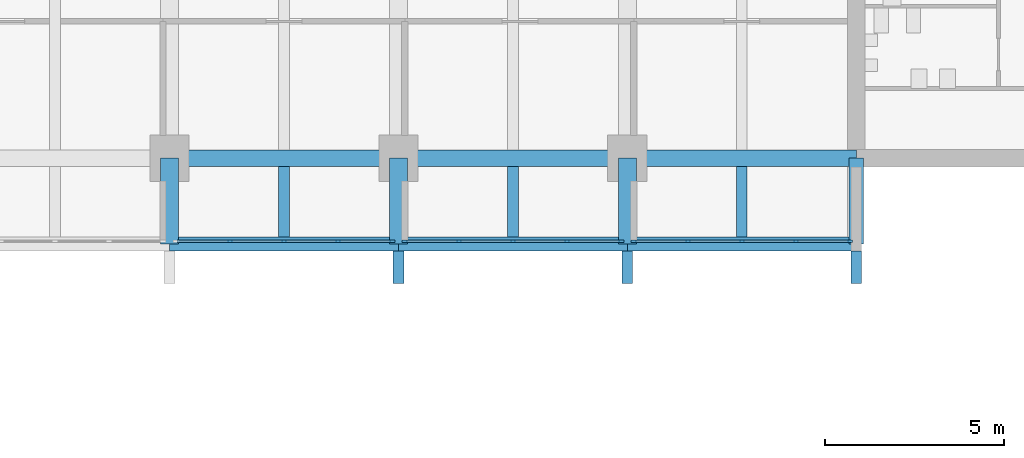
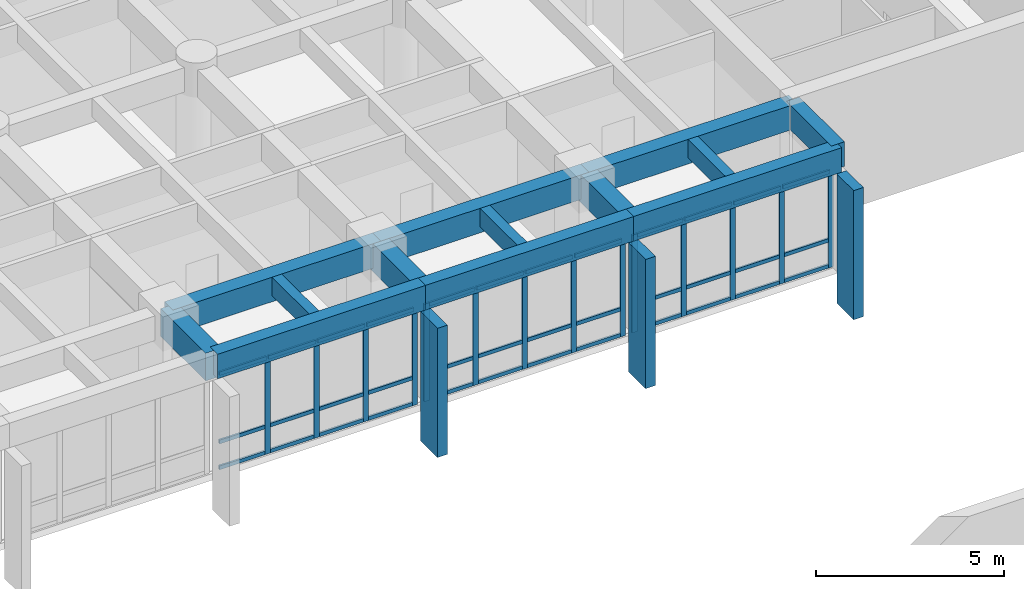
# One storey, part 3 of 18: 53 members, 13 beams, 3 elements without a shape of their own.
"""IFC4 building model written with IfcOpenShell, lengths in metres."""

from ifc_helpers import new_model, si_unit, direction, frame, origin, origin_2d, place, context, subcontext, project, spatial, rectangle, extrude, material, layer, layer_set, material_profile, profile_set, type_object, element, aggregate, save


model = new_model("IFC4")

# Units and contexts
model_context = context("Model", 3, precision=1e-05, world=origin(), true_north=direction((0.0, 1.0)))
body_context = subcontext(model_context, "Body", "Model", "MODEL_VIEW")
ifc_project = project(units=[si_unit("LENGTHUNIT", "METRE"), si_unit("AREAUNIT", "SQUARE_METRE"), si_unit("VOLUMEUNIT", "CUBIC_METRE"), si_unit("PLANEANGLEUNIT", "RADIAN"), si_unit("MASSUNIT", "GRAM", prefix="KILO")], contexts=[model_context])

# Site, building, storey
site_placement = place(None, origin())
site = spatial("IfcSite", under=ifc_project, at=site_placement, CompositionType="ELEMENT")
building_placement = place(site_placement, origin())
building = spatial("IfcBuilding", under=site, at=building_placement, Name="Fogon Plaza Fire Station and Headquarters Tower", CompositionType="ELEMENT")
storey_placement = place(building_placement, frame((0.0, 0.0, 12.89990234375)))
storey = spatial("IfcBuildingStorey", under=building, at=storey_placement, Name="L03", CompositionType="ELEMENT", Elevation=12.89990234375)

# Beams
ifc_material_1 = material(Name="Concrete C40", Category="concrete")
ifc_material_profile_1 = material_profile(ifc_material_1, rectangle(XDim=0.39990234375, YDim=0.800048828125, at=origin_2d()), Name="RC 400x800")
ifc_profile_set_1 = profile_set([ifc_material_profile_1], Name="Concrete C40")
beam_type_1 = type_object("IfcBeamType", Name="BEAM RC 400x800", PredefinedType="BEAM", material=ifc_profile_set_1)
beam_1_placement = place(storey_placement, frame((44.800048828125, 31.199951171875, 3.580078125), z_axis=(1.0, 0.0, 0.0), x_axis=(0.0, 1.0, 0.0)))
element("IfcBeam", 1, at=beam_1_placement, inside=storey, type_object=beam_type_1, Name="beam-L03-042", PredefinedType="BEAM", context=body_context, shape_type="SweptSolid", body=[
    extrude(rectangle(XDim=0.39990234375, YDim=0.800048828125, at=origin_2d()), origin(), (0.0, 0.0, 1.0), 6.39990234375),
])
beam_2_placement = place(storey_placement, frame((51.199951171875, 31.199951171875, 3.580078125), z_axis=(1.0, 0.0, 0.0), x_axis=(0.0, 1.0, 0.0)))
element("IfcBeam", 2, at=beam_2_placement, inside=storey, type_object=beam_type_1, Name="beam-L03-043", PredefinedType="BEAM", context=body_context, shape_type="SweptSolid", body=[
    extrude(rectangle(XDim=0.39990234375, YDim=0.800048828125, at=origin_2d()), origin(), (0.0, 0.0, 1.0), 6.400146484375),
])
beam_3_placement = place(storey_placement, frame((57.60009765625, 31.199951171875, 3.580078125), z_axis=(1.0, 0.0, 0.0), x_axis=(0.0, 1.0, 0.0)))
element("IfcBeam", 3, at=beam_3_placement, inside=storey, type_object=beam_type_1, Name="beam-L03-044", PredefinedType="BEAM", context=body_context, shape_type="SweptSolid", body=[
    extrude(rectangle(XDim=0.39990234375, YDim=0.800048828125, at=origin_2d()), origin(), (0.0, 0.0, 1.0), 6.39990234375),
])
ifc_material_2 = material(Name="Concrete C40", Category="concrete")
ifc_material_profile_2 = material_profile(ifc_material_2, rectangle(XDim=0.39990234375, YDim=0.800048828125, at=origin_2d()), Name="RC 400x800")
ifc_profile_set_2 = profile_set([ifc_material_profile_2], Name="Concrete C40")
beam_type_2 = type_object("IfcBeamType", Name="BEAM RC 400x800 SPAN 0.0 TO 3.0 M", PredefinedType="BEAM", material=ifc_profile_set_2)
beam_4_placement = place(storey_placement, frame((64.0, 31.199951171875, 3.580078125), z_axis=(0.0, 1.0, 0.0), x_axis=(-1.0, 0.0, 0.0)))
element("IfcBeam", 4, at=beam_4_placement, inside=storey, type_object=beam_type_2, Name="beam-L03-053", PredefinedType="BEAM", context=body_context, shape_type="SweptSolid", body=[
    extrude(rectangle(XDim=0.39990234375, YDim=0.800048828125, at=origin_2d()), origin(), (0.0, 0.0, 1.0), 2.400146484375),
])
ifc_material_3 = material(Name="Concrete C40", Category="concrete")
ifc_material_profile_3 = material_profile(ifc_material_3, rectangle(XDim=0.449951171875, YDim=0.800048828125, at=origin_2d()), Name="RC 450x800")
ifc_profile_set_3 = profile_set([ifc_material_profile_3], Name="Concrete C40")
beam_type_3 = type_object("IfcBeamType", Name="BEAM RC 450x800", PredefinedType="BEAM", material=ifc_profile_set_3)
beam_5_placement = place(storey_placement, frame((44.800048828125, 33.60009765625, 3.580078125), z_axis=(1.0, 0.0, 0.0), x_axis=(0.0, 1.0, 0.0)))
element("IfcBeam", 5, at=beam_5_placement, inside=storey, type_object=beam_type_3, Name="beam-L03-024", PredefinedType="BEAM", context=body_context, shape_type="SweptSolid", body=[
    extrude(rectangle(XDim=0.449951171875, YDim=0.800048828125, at=origin_2d()), origin(), (0.0, 0.0, 1.0), 6.39990234375),
])
beam_6_placement = place(storey_placement, frame((51.199951171875, 33.60009765625, 3.580078125), z_axis=(1.0, 0.0, 0.0), x_axis=(0.0, 1.0, 0.0)))
element("IfcBeam", 6, at=beam_6_placement, inside=storey, type_object=beam_type_3, Name="beam-L03-025", PredefinedType="BEAM", context=body_context, shape_type="SweptSolid", body=[
    extrude(rectangle(XDim=0.449951171875, YDim=0.800048828125, at=origin_2d()), origin(), (0.0, 0.0, 1.0), 6.400146484375),
])
beam_7_placement = place(storey_placement, frame((57.60009765625, 33.60009765625, 3.580078125), z_axis=(1.0, 0.0, 0.0), x_axis=(0.0, 1.0, 0.0)))
element("IfcBeam", 7, at=beam_7_placement, inside=storey, type_object=beam_type_3, Name="beam-L03-026", PredefinedType="BEAM", context=body_context, shape_type="SweptSolid", body=[
    extrude(rectangle(XDim=0.449951171875, YDim=0.800048828125, at=origin_2d()), origin(), (0.0, 0.0, 1.0), 6.39990234375),
])
ifc_material_4 = material(Name="Concrete C40", Category="concrete")
ifc_material_profile_4 = material_profile(ifc_material_4, rectangle(XDim=0.5, YDim=0.89990234375, at=origin_2d()), Name="RC 500x900")
ifc_profile_set_4 = profile_set([ifc_material_profile_4], Name="Concrete C40")
beam_type_4 = type_object("IfcBeamType", Name="BEAM RC 500x900 SPAN 0.0 TO 3.0 M", PredefinedType="BEAM", material=ifc_profile_set_4)
for number, where, z_axis, x_axis, name in (
    (8, (44.800048828125, 31.199951171875, 3.530029296875), (0.0, 1.0, 0.0), (-1.0, 0.0, 0.0), "beam-L03-009"),
    (9, (51.199951171875, 31.199951171875, 3.530029296875), (0.0, 1.0, 0.0), (-1.0, 0.0, 0.0), "beam-L03-013"),
    (10, (57.60009765625, 31.199951171875, 3.530029296875), (0.0, 1.0, 0.0), (-1.0, 0.0, 0.0), "beam-L03-017"),
):
    element("IfcBeam", number, at=place(storey_placement, frame(where, z_axis=z_axis, x_axis=x_axis)), inside=storey, type_object=beam_type_4, Name=name, PredefinedType="BEAM", context=body_context, shape_type="SweptSolid", body=[
        extrude(rectangle(XDim=0.5, YDim=0.89990234375, at=origin_2d()), origin(), (0.0, 0.0, 1.0), 2.400146484375),
    ])

# Curtain wall, members
ifc_material_5 = material(Name="Aluminium and glass", Category="aluminium")
ifc_layer = layer(ifc_material_5, 0.14990234375)
ifc_layer_set = layer_set([ifc_layer], Name="Aluminium and glass")
curtain_wall_type = type_object("IfcCurtainWallType", Name="Unitised Curtain Wall Run 6100x3180", PredefinedType="NOTDEFINED", material=ifc_layer_set)
curtain_wall_1_placement = place(storey_placement, origin())
curtain_wall_1 = element("IfcCurtainWall", 11, at=curtain_wall_1_placement, inside=storey, type_object=curtain_wall_type, Name="CW-6100x3180 S4 L03", PredefinedType="NOTDEFINED")
ifc_material_6 = material(Name="Aluminium", Category="aluminium")
ifc_material_profile_5 = material_profile(ifc_material_6, rectangle(XDim=0.06005859375, YDim=0.159912109375, at=origin_2d()), Name="Curtain Wall Mullion 60x160")
ifc_profile_set_5 = profile_set([ifc_material_profile_5], Name="Aluminium")
member_type_1 = type_object("IfcMemberType", Name="Curtain Wall Mullion 60x160", PredefinedType="MULLION", material=ifc_profile_set_5)
member_1_placement = place(storey_placement, frame((46.489990234375, 31.280029296875, 0.0), z_axis=(0.0, 0.0, 1.0), x_axis=(0.0, 1.0, 0.0)))
member_1 = element("IfcMember", 12, at=member_1_placement, type_object=member_type_1, Name="CW-6100x3180 mullion 2", PredefinedType="MULLION", context=body_context, shape_type="SweptSolid", body=[
    extrude(rectangle(XDim=0.06005859375, YDim=0.159912109375, at=origin_2d()), origin(), (0.0, 0.0, 1.0), 3.18017578125),
])
member_2_placement = place(storey_placement, frame((48.0, 31.280029296875, 0.0), z_axis=(0.0, 0.0, 1.0), x_axis=(0.0, 1.0, 0.0)))
member_2 = element("IfcMember", 13, at=member_2_placement, type_object=member_type_1, Name="CW-6100x3180 mullion 3", PredefinedType="MULLION", context=body_context, shape_type="SweptSolid", body=[
    extrude(rectangle(XDim=0.06005859375, YDim=0.159912109375, at=origin_2d()), origin(), (0.0, 0.0, 1.0), 3.18017578125),
])
member_3_placement = place(storey_placement, frame((49.510009765625, 31.280029296875, 0.0), z_axis=(0.0, 0.0, 1.0), x_axis=(0.0, 1.0, 0.0)))
member_3 = element("IfcMember", 14, at=member_3_placement, type_object=member_type_1, Name="CW-6100x3180 mullion 4", PredefinedType="MULLION", context=body_context, shape_type="SweptSolid", body=[
    extrude(rectangle(XDim=0.06005859375, YDim=0.159912109375, at=origin_2d()), origin(), (0.0, 0.0, 1.0), 3.18017578125),
])
member_4_placement = place(storey_placement, frame((51.02001953125, 31.280029296875, 0.0), z_axis=(0.0, 0.0, 1.0), x_axis=(0.0, 1.0, 0.0)))
member_4 = element("IfcMember", 15, at=member_4_placement, type_object=member_type_1, Name="CW-6100x3180 mullion 5", PredefinedType="MULLION", context=body_context, shape_type="SweptSolid", body=[
    extrude(rectangle(XDim=0.06005859375, YDim=0.159912109375, at=origin_2d()), origin(), (0.0, 0.0, 1.0), 3.18017578125),
])

curtain_wall_2_placement = place(storey_placement, origin())
curtain_wall_2 = element("IfcCurtainWall", 16, at=curtain_wall_2_placement, inside=storey, type_object=curtain_wall_type, Name="CW-6100x3180 S5 L03", PredefinedType="NOTDEFINED")
member_5_placement = place(storey_placement, frame((51.3798828125, 31.280029296875, 0.0), z_axis=(0.0, 0.0, 1.0), x_axis=(0.0, 1.0, 0.0)))
member_5 = element("IfcMember", 17, at=member_5_placement, type_object=member_type_1, Name="CW-6100x3180 mullion 1", PredefinedType="MULLION", context=body_context, shape_type="SweptSolid", body=[
    extrude(rectangle(XDim=0.06005859375, YDim=0.159912109375, at=origin_2d()), origin(), (0.0, 0.0, 1.0), 3.18017578125),
])
member_6_placement = place(storey_placement, frame((52.889892578125, 31.280029296875, 0.0), z_axis=(0.0, 0.0, 1.0), x_axis=(0.0, 1.0, 0.0)))
member_6 = element("IfcMember", 18, at=member_6_placement, type_object=member_type_1, Name="CW-6100x3180 mullion 2", PredefinedType="MULLION", context=body_context, shape_type="SweptSolid", body=[
    extrude(rectangle(XDim=0.06005859375, YDim=0.159912109375, at=origin_2d()), origin(), (0.0, 0.0, 1.0), 3.18017578125),
])
member_7_placement = place(storey_placement, frame((54.39990234375, 31.280029296875, 0.0), z_axis=(0.0, 0.0, 1.0), x_axis=(0.0, 1.0, 0.0)))
member_7 = element("IfcMember", 19, at=member_7_placement, type_object=member_type_1, Name="CW-6100x3180 mullion 3", PredefinedType="MULLION", context=body_context, shape_type="SweptSolid", body=[
    extrude(rectangle(XDim=0.06005859375, YDim=0.159912109375, at=origin_2d()), origin(), (0.0, 0.0, 1.0), 3.18017578125),
])
member_8_placement = place(storey_placement, frame((55.909912109375, 31.280029296875, 0.0), z_axis=(0.0, 0.0, 1.0), x_axis=(0.0, 1.0, 0.0)))
member_8 = element("IfcMember", 20, at=member_8_placement, type_object=member_type_1, Name="CW-6100x3180 mullion 4", PredefinedType="MULLION", context=body_context, shape_type="SweptSolid", body=[
    extrude(rectangle(XDim=0.06005859375, YDim=0.159912109375, at=origin_2d()), origin(), (0.0, 0.0, 1.0), 3.18017578125),
])
member_9_placement = place(storey_placement, frame((57.419921875, 31.280029296875, 0.0), z_axis=(0.0, 0.0, 1.0), x_axis=(0.0, 1.0, 0.0)))
member_9 = element("IfcMember", 21, at=member_9_placement, type_object=member_type_1, Name="CW-6100x3180 mullion 5", PredefinedType="MULLION", context=body_context, shape_type="SweptSolid", body=[
    extrude(rectangle(XDim=0.06005859375, YDim=0.159912109375, at=origin_2d()), origin(), (0.0, 0.0, 1.0), 3.18017578125),
])

curtain_wall_3_placement = place(storey_placement, origin())
curtain_wall_3 = element("IfcCurtainWall", 22, at=curtain_wall_3_placement, inside=storey, type_object=curtain_wall_type, Name="CW-6100x3180 S6 L03", PredefinedType="NOTDEFINED")
member_10_placement = place(storey_placement, frame((57.780029296875, 31.280029296875, 0.0), z_axis=(0.0, 0.0, 1.0), x_axis=(0.0, 1.0, 0.0)))
member_10 = element("IfcMember", 23, at=member_10_placement, type_object=member_type_1, Name="CW-6100x3180 mullion 1", PredefinedType="MULLION", context=body_context, shape_type="SweptSolid", body=[
    extrude(rectangle(XDim=0.06005859375, YDim=0.159912109375, at=origin_2d()), origin(), (0.0, 0.0, 1.0), 3.18017578125),
])
member_11_placement = place(storey_placement, frame((59.2900390625, 31.280029296875, 0.0), z_axis=(0.0, 0.0, 1.0), x_axis=(0.0, 1.0, 0.0)))
member_11 = element("IfcMember", 24, at=member_11_placement, type_object=member_type_1, Name="CW-6100x3180 mullion 2", PredefinedType="MULLION", context=body_context, shape_type="SweptSolid", body=[
    extrude(rectangle(XDim=0.06005859375, YDim=0.159912109375, at=origin_2d()), origin(), (0.0, 0.0, 1.0), 3.18017578125),
])
member_12_placement = place(storey_placement, frame((60.800048828125, 31.280029296875, 0.0), z_axis=(0.0, 0.0, 1.0), x_axis=(0.0, 1.0, 0.0)))
member_12 = element("IfcMember", 25, at=member_12_placement, type_object=member_type_1, Name="CW-6100x3180 mullion 3", PredefinedType="MULLION", context=body_context, shape_type="SweptSolid", body=[
    extrude(rectangle(XDim=0.06005859375, YDim=0.159912109375, at=origin_2d()), origin(), (0.0, 0.0, 1.0), 3.18017578125),
])
member_13_placement = place(storey_placement, frame((62.31005859375, 31.280029296875, 0.0), z_axis=(0.0, 0.0, 1.0), x_axis=(0.0, 1.0, 0.0)))
member_13 = element("IfcMember", 26, at=member_13_placement, type_object=member_type_1, Name="CW-6100x3180 mullion 4", PredefinedType="MULLION", context=body_context, shape_type="SweptSolid", body=[
    extrude(rectangle(XDim=0.06005859375, YDim=0.159912109375, at=origin_2d()), origin(), (0.0, 0.0, 1.0), 3.18017578125),
])
member_14_placement = place(storey_placement, frame((63.820068359375, 31.280029296875, 0.0), z_axis=(0.0, 0.0, 1.0), x_axis=(0.0, 1.0, 0.0)))
member_14 = element("IfcMember", 27, at=member_14_placement, type_object=member_type_1, Name="CW-6100x3180 mullion 5", PredefinedType="MULLION", context=body_context, shape_type="SweptSolid", body=[
    extrude(rectangle(XDim=0.06005859375, YDim=0.159912109375, at=origin_2d()), origin(), (0.0, 0.0, 1.0), 3.18017578125),
])

# Member
ifc_material_7 = material(Name="Aluminium", Category="aluminium")
ifc_material_profile_6 = material_profile(ifc_material_7, rectangle(XDim=0.06005859375, YDim=0.1201171875, at=origin_2d()), Name="Curtain Wall Transom 60x120")
ifc_profile_set_6 = profile_set([ifc_material_profile_6], Name="Aluminium")
member_type_2 = type_object("IfcMemberType", Name="Curtain Wall Transom 60x120", PredefinedType="USERDEFINED", material=ifc_profile_set_6)
member_15_placement = place(storey_placement, frame((45.010009765625, 31.280029296875, 0.06005859375), z_axis=(1.0, 0.0, 0.0), x_axis=(0.0, 1.0, 0.0)))
member_15 = element("IfcMember", 28, at=member_15_placement, type_object=member_type_2, Name="CW-6100x3180 transom 1.1", ObjectType="TRANSOM", PredefinedType="USERDEFINED", context=body_context, shape_type="SweptSolid", body=[
    extrude(rectangle(XDim=0.06005859375, YDim=0.1201171875, at=origin_2d()), origin(), (0.0, 0.0, 1.0), 1.449951171875),
])

member_16_placement = place(storey_placement, frame((45.010009765625, 31.280029296875, 0.900146484375), z_axis=(1.0, 0.0, 0.0), x_axis=(0.0, 1.0, 0.0)))
member_16 = element("IfcMember", 29, at=member_16_placement, type_object=member_type_2, Name="CW-6100x3180 transom 1.2", ObjectType="TRANSOM", PredefinedType="USERDEFINED", context=body_context, shape_type="SweptSolid", body=[
    extrude(rectangle(XDim=0.06005859375, YDim=0.1201171875, at=origin_2d()), origin(), (0.0, 0.0, 1.0), 1.449951171875),
])

member_17_placement = place(storey_placement, frame((45.010009765625, 31.280029296875, 3.1201171875), z_axis=(1.0, 0.0, 0.0), x_axis=(0.0, 1.0, 0.0)))
member_17 = element("IfcMember", 30, at=member_17_placement, type_object=member_type_2, Name="CW-6100x3180 transom 1.3", ObjectType="TRANSOM", PredefinedType="USERDEFINED", context=body_context, shape_type="SweptSolid", body=[
    extrude(rectangle(XDim=0.06005859375, YDim=0.1201171875, at=origin_2d()), origin(), (0.0, 0.0, 1.0), 1.449951171875),
])

member_18_placement = place(storey_placement, frame((46.52001953125, 31.280029296875, 0.06005859375), z_axis=(1.0, 0.0, 0.0), x_axis=(0.0, 1.0, 0.0)))
member_18 = element("IfcMember", 31, at=member_18_placement, type_object=member_type_2, Name="CW-6100x3180 transom 2.1", ObjectType="TRANSOM", PredefinedType="USERDEFINED", context=body_context, shape_type="SweptSolid", body=[
    extrude(rectangle(XDim=0.06005859375, YDim=0.1201171875, at=origin_2d()), origin(), (0.0, 0.0, 1.0), 1.449951171875),
])

member_19_placement = place(storey_placement, frame((46.52001953125, 31.280029296875, 0.900146484375), z_axis=(1.0, 0.0, 0.0), x_axis=(0.0, 1.0, 0.0)))
member_19 = element("IfcMember", 32, at=member_19_placement, type_object=member_type_2, Name="CW-6100x3180 transom 2.2", ObjectType="TRANSOM", PredefinedType="USERDEFINED", context=body_context, shape_type="SweptSolid", body=[
    extrude(rectangle(XDim=0.06005859375, YDim=0.1201171875, at=origin_2d()), origin(), (0.0, 0.0, 1.0), 1.449951171875),
])

member_20_placement = place(storey_placement, frame((46.52001953125, 31.280029296875, 3.1201171875), z_axis=(1.0, 0.0, 0.0), x_axis=(0.0, 1.0, 0.0)))
member_20 = element("IfcMember", 33, at=member_20_placement, type_object=member_type_2, Name="CW-6100x3180 transom 2.3", ObjectType="TRANSOM", PredefinedType="USERDEFINED", context=body_context, shape_type="SweptSolid", body=[
    extrude(rectangle(XDim=0.06005859375, YDim=0.1201171875, at=origin_2d()), origin(), (0.0, 0.0, 1.0), 1.449951171875),
])

member_21_placement = place(storey_placement, frame((48.030029296875, 31.280029296875, 0.06005859375), z_axis=(1.0, 0.0, 0.0), x_axis=(0.0, 1.0, 0.0)))
member_21 = element("IfcMember", 34, at=member_21_placement, type_object=member_type_2, Name="CW-6100x3180 transom 3.1", ObjectType="TRANSOM", PredefinedType="USERDEFINED", context=body_context, shape_type="SweptSolid", body=[
    extrude(rectangle(XDim=0.06005859375, YDim=0.1201171875, at=origin_2d()), origin(), (0.0, 0.0, 1.0), 1.449951171875),
])

member_22_placement = place(storey_placement, frame((48.030029296875, 31.280029296875, 0.900146484375), z_axis=(1.0, 0.0, 0.0), x_axis=(0.0, 1.0, 0.0)))
member_22 = element("IfcMember", 35, at=member_22_placement, type_object=member_type_2, Name="CW-6100x3180 transom 3.2", ObjectType="TRANSOM", PredefinedType="USERDEFINED", context=body_context, shape_type="SweptSolid", body=[
    extrude(rectangle(XDim=0.06005859375, YDim=0.1201171875, at=origin_2d()), origin(), (0.0, 0.0, 1.0), 1.449951171875),
])

member_23_placement = place(storey_placement, frame((48.030029296875, 31.280029296875, 3.1201171875), z_axis=(1.0, 0.0, 0.0), x_axis=(0.0, 1.0, 0.0)))
member_23 = element("IfcMember", 36, at=member_23_placement, type_object=member_type_2, Name="CW-6100x3180 transom 3.3", ObjectType="TRANSOM", PredefinedType="USERDEFINED", context=body_context, shape_type="SweptSolid", body=[
    extrude(rectangle(XDim=0.06005859375, YDim=0.1201171875, at=origin_2d()), origin(), (0.0, 0.0, 1.0), 1.449951171875),
])

member_24_placement = place(storey_placement, frame((49.5400390625, 31.280029296875, 0.06005859375), z_axis=(1.0, 0.0, 0.0), x_axis=(0.0, 1.0, 0.0)))
member_24 = element("IfcMember", 37, at=member_24_placement, type_object=member_type_2, Name="CW-6100x3180 transom 4.1", ObjectType="TRANSOM", PredefinedType="USERDEFINED", context=body_context, shape_type="SweptSolid", body=[
    extrude(rectangle(XDim=0.06005859375, YDim=0.1201171875, at=origin_2d()), origin(), (0.0, 0.0, 1.0), 1.449951171875),
])

member_25_placement = place(storey_placement, frame((49.5400390625, 31.280029296875, 0.900146484375), z_axis=(1.0, 0.0, 0.0), x_axis=(0.0, 1.0, 0.0)))
member_25 = element("IfcMember", 38, at=member_25_placement, type_object=member_type_2, Name="CW-6100x3180 transom 4.2", ObjectType="TRANSOM", PredefinedType="USERDEFINED", context=body_context, shape_type="SweptSolid", body=[
    extrude(rectangle(XDim=0.06005859375, YDim=0.1201171875, at=origin_2d()), origin(), (0.0, 0.0, 1.0), 1.449951171875),
])

member_26_placement = place(storey_placement, frame((49.5400390625, 31.280029296875, 3.1201171875), z_axis=(1.0, 0.0, 0.0), x_axis=(0.0, 1.0, 0.0)))
member_26 = element("IfcMember", 39, at=member_26_placement, type_object=member_type_2, Name="CW-6100x3180 transom 4.3", ObjectType="TRANSOM", PredefinedType="USERDEFINED", context=body_context, shape_type="SweptSolid", body=[
    extrude(rectangle(XDim=0.06005859375, YDim=0.1201171875, at=origin_2d()), origin(), (0.0, 0.0, 1.0), 1.449951171875),
])

aggregate(curtain_wall_1, [member_1, member_2, member_3, member_4, member_15, member_16, member_17, member_18, member_19, member_20, member_21, member_22, member_23, member_24, member_25, member_26])

member_27_placement = place(storey_placement, frame((51.409912109375, 31.280029296875, 0.06005859375), z_axis=(1.0, 0.0, 0.0), x_axis=(0.0, 1.0, 0.0)))
member_27 = element("IfcMember", 40, at=member_27_placement, type_object=member_type_2, Name="CW-6100x3180 transom 1.1", ObjectType="TRANSOM", PredefinedType="USERDEFINED", context=body_context, shape_type="SweptSolid", body=[
    extrude(rectangle(XDim=0.06005859375, YDim=0.1201171875, at=origin_2d()), origin(), (0.0, 0.0, 1.0), 1.4501953125),
])

member_28_placement = place(storey_placement, frame((51.409912109375, 31.280029296875, 0.900146484375), z_axis=(1.0, 0.0, 0.0), x_axis=(0.0, 1.0, 0.0)))
member_28 = element("IfcMember", 41, at=member_28_placement, type_object=member_type_2, Name="CW-6100x3180 transom 1.2", ObjectType="TRANSOM", PredefinedType="USERDEFINED", context=body_context, shape_type="SweptSolid", body=[
    extrude(rectangle(XDim=0.06005859375, YDim=0.1201171875, at=origin_2d()), origin(), (0.0, 0.0, 1.0), 1.4501953125),
])

member_29_placement = place(storey_placement, frame((51.409912109375, 31.280029296875, 3.1201171875), z_axis=(1.0, 0.0, 0.0), x_axis=(0.0, 1.0, 0.0)))
member_29 = element("IfcMember", 42, at=member_29_placement, type_object=member_type_2, Name="CW-6100x3180 transom 1.3", ObjectType="TRANSOM", PredefinedType="USERDEFINED", context=body_context, shape_type="SweptSolid", body=[
    extrude(rectangle(XDim=0.06005859375, YDim=0.1201171875, at=origin_2d()), origin(), (0.0, 0.0, 1.0), 1.4501953125),
])

member_30_placement = place(storey_placement, frame((52.919921875, 31.280029296875, 0.06005859375), z_axis=(1.0, 0.0, 0.0), x_axis=(0.0, 1.0, 0.0)))
member_30 = element("IfcMember", 43, at=member_30_placement, type_object=member_type_2, Name="CW-6100x3180 transom 2.1", ObjectType="TRANSOM", PredefinedType="USERDEFINED", context=body_context, shape_type="SweptSolid", body=[
    extrude(rectangle(XDim=0.06005859375, YDim=0.1201171875, at=origin_2d()), origin(), (0.0, 0.0, 1.0), 1.4501953125),
])

member_31_placement = place(storey_placement, frame((52.919921875, 31.280029296875, 0.900146484375), z_axis=(1.0, 0.0, 0.0), x_axis=(0.0, 1.0, 0.0)))
member_31 = element("IfcMember", 44, at=member_31_placement, type_object=member_type_2, Name="CW-6100x3180 transom 2.2", ObjectType="TRANSOM", PredefinedType="USERDEFINED", context=body_context, shape_type="SweptSolid", body=[
    extrude(rectangle(XDim=0.06005859375, YDim=0.1201171875, at=origin_2d()), origin(), (0.0, 0.0, 1.0), 1.4501953125),
])

member_32_placement = place(storey_placement, frame((52.919921875, 31.280029296875, 3.1201171875), z_axis=(1.0, 0.0, 0.0), x_axis=(0.0, 1.0, 0.0)))
member_32 = element("IfcMember", 45, at=member_32_placement, type_object=member_type_2, Name="CW-6100x3180 transom 2.3", ObjectType="TRANSOM", PredefinedType="USERDEFINED", context=body_context, shape_type="SweptSolid", body=[
    extrude(rectangle(XDim=0.06005859375, YDim=0.1201171875, at=origin_2d()), origin(), (0.0, 0.0, 1.0), 1.4501953125),
])

member_33_placement = place(storey_placement, frame((54.429931640625, 31.280029296875, 0.06005859375), z_axis=(1.0, 0.0, 0.0), x_axis=(0.0, 1.0, 0.0)))
member_33 = element("IfcMember", 46, at=member_33_placement, type_object=member_type_2, Name="CW-6100x3180 transom 3.1", ObjectType="TRANSOM", PredefinedType="USERDEFINED", context=body_context, shape_type="SweptSolid", body=[
    extrude(rectangle(XDim=0.06005859375, YDim=0.1201171875, at=origin_2d()), origin(), (0.0, 0.0, 1.0), 1.449951171875),
])

member_34_placement = place(storey_placement, frame((54.429931640625, 31.280029296875, 0.900146484375), z_axis=(1.0, 0.0, 0.0), x_axis=(0.0, 1.0, 0.0)))
member_34 = element("IfcMember", 47, at=member_34_placement, type_object=member_type_2, Name="CW-6100x3180 transom 3.2", ObjectType="TRANSOM", PredefinedType="USERDEFINED", context=body_context, shape_type="SweptSolid", body=[
    extrude(rectangle(XDim=0.06005859375, YDim=0.1201171875, at=origin_2d()), origin(), (0.0, 0.0, 1.0), 1.449951171875),
])

member_35_placement = place(storey_placement, frame((54.429931640625, 31.280029296875, 3.1201171875), z_axis=(1.0, 0.0, 0.0), x_axis=(0.0, 1.0, 0.0)))
member_35 = element("IfcMember", 48, at=member_35_placement, type_object=member_type_2, Name="CW-6100x3180 transom 3.3", ObjectType="TRANSOM", PredefinedType="USERDEFINED", context=body_context, shape_type="SweptSolid", body=[
    extrude(rectangle(XDim=0.06005859375, YDim=0.1201171875, at=origin_2d()), origin(), (0.0, 0.0, 1.0), 1.449951171875),
])

member_36_placement = place(storey_placement, frame((55.93994140625, 31.280029296875, 0.06005859375), z_axis=(1.0, 0.0, 0.0), x_axis=(0.0, 1.0, 0.0)))
member_36 = element("IfcMember", 49, at=member_36_placement, type_object=member_type_2, Name="CW-6100x3180 transom 4.1", ObjectType="TRANSOM", PredefinedType="USERDEFINED", context=body_context, shape_type="SweptSolid", body=[
    extrude(rectangle(XDim=0.06005859375, YDim=0.1201171875, at=origin_2d()), origin(), (0.0, 0.0, 1.0), 1.449951171875),
])

member_37_placement = place(storey_placement, frame((55.93994140625, 31.280029296875, 0.900146484375), z_axis=(1.0, 0.0, 0.0), x_axis=(0.0, 1.0, 0.0)))
member_37 = element("IfcMember", 50, at=member_37_placement, type_object=member_type_2, Name="CW-6100x3180 transom 4.2", ObjectType="TRANSOM", PredefinedType="USERDEFINED", context=body_context, shape_type="SweptSolid", body=[
    extrude(rectangle(XDim=0.06005859375, YDim=0.1201171875, at=origin_2d()), origin(), (0.0, 0.0, 1.0), 1.449951171875),
])

member_38_placement = place(storey_placement, frame((55.93994140625, 31.280029296875, 3.1201171875), z_axis=(1.0, 0.0, 0.0), x_axis=(0.0, 1.0, 0.0)))
member_38 = element("IfcMember", 51, at=member_38_placement, type_object=member_type_2, Name="CW-6100x3180 transom 4.3", ObjectType="TRANSOM", PredefinedType="USERDEFINED", context=body_context, shape_type="SweptSolid", body=[
    extrude(rectangle(XDim=0.06005859375, YDim=0.1201171875, at=origin_2d()), origin(), (0.0, 0.0, 1.0), 1.449951171875),
])

aggregate(curtain_wall_2, [member_5, member_6, member_7, member_8, member_9, member_27, member_28, member_29, member_30, member_31, member_32, member_33, member_34, member_35, member_36, member_37, member_38])

member_39_placement = place(storey_placement, frame((57.81005859375, 31.280029296875, 0.06005859375), z_axis=(1.0, 0.0, 0.0), x_axis=(0.0, 1.0, 0.0)))
member_39 = element("IfcMember", 52, at=member_39_placement, type_object=member_type_2, Name="CW-6100x3180 transom 1.1", ObjectType="TRANSOM", PredefinedType="USERDEFINED", context=body_context, shape_type="SweptSolid", body=[
    extrude(rectangle(XDim=0.06005859375, YDim=0.1201171875, at=origin_2d()), origin(), (0.0, 0.0, 1.0), 1.449951171875),
])

member_40_placement = place(storey_placement, frame((57.81005859375, 31.280029296875, 0.900146484375), z_axis=(1.0, 0.0, 0.0), x_axis=(0.0, 1.0, 0.0)))
member_40 = element("IfcMember", 53, at=member_40_placement, type_object=member_type_2, Name="CW-6100x3180 transom 1.2", ObjectType="TRANSOM", PredefinedType="USERDEFINED", context=body_context, shape_type="SweptSolid", body=[
    extrude(rectangle(XDim=0.06005859375, YDim=0.1201171875, at=origin_2d()), origin(), (0.0, 0.0, 1.0), 1.449951171875),
])

member_41_placement = place(storey_placement, frame((57.81005859375, 31.280029296875, 3.1201171875), z_axis=(1.0, 0.0, 0.0), x_axis=(0.0, 1.0, 0.0)))
member_41 = element("IfcMember", 54, at=member_41_placement, type_object=member_type_2, Name="CW-6100x3180 transom 1.3", ObjectType="TRANSOM", PredefinedType="USERDEFINED", context=body_context, shape_type="SweptSolid", body=[
    extrude(rectangle(XDim=0.06005859375, YDim=0.1201171875, at=origin_2d()), origin(), (0.0, 0.0, 1.0), 1.449951171875),
])

member_42_placement = place(storey_placement, frame((59.320068359375, 31.280029296875, 0.06005859375), z_axis=(1.0, 0.0, 0.0), x_axis=(0.0, 1.0, 0.0)))
member_42 = element("IfcMember", 55, at=member_42_placement, type_object=member_type_2, Name="CW-6100x3180 transom 2.1", ObjectType="TRANSOM", PredefinedType="USERDEFINED", context=body_context, shape_type="SweptSolid", body=[
    extrude(rectangle(XDim=0.06005859375, YDim=0.1201171875, at=origin_2d()), origin(), (0.0, 0.0, 1.0), 1.449951171875),
])

member_43_placement = place(storey_placement, frame((59.320068359375, 31.280029296875, 0.900146484375), z_axis=(1.0, 0.0, 0.0), x_axis=(0.0, 1.0, 0.0)))
member_43 = element("IfcMember", 56, at=member_43_placement, type_object=member_type_2, Name="CW-6100x3180 transom 2.2", ObjectType="TRANSOM", PredefinedType="USERDEFINED", context=body_context, shape_type="SweptSolid", body=[
    extrude(rectangle(XDim=0.06005859375, YDim=0.1201171875, at=origin_2d()), origin(), (0.0, 0.0, 1.0), 1.449951171875),
])

member_44_placement = place(storey_placement, frame((59.320068359375, 31.280029296875, 3.1201171875), z_axis=(1.0, 0.0, 0.0), x_axis=(0.0, 1.0, 0.0)))
member_44 = element("IfcMember", 57, at=member_44_placement, type_object=member_type_2, Name="CW-6100x3180 transom 2.3", ObjectType="TRANSOM", PredefinedType="USERDEFINED", context=body_context, shape_type="SweptSolid", body=[
    extrude(rectangle(XDim=0.06005859375, YDim=0.1201171875, at=origin_2d()), origin(), (0.0, 0.0, 1.0), 1.449951171875),
])

member_45_placement = place(storey_placement, frame((60.830078125, 31.280029296875, 0.06005859375), z_axis=(1.0, 0.0, 0.0), x_axis=(0.0, 1.0, 0.0)))
member_45 = element("IfcMember", 58, at=member_45_placement, type_object=member_type_2, Name="CW-6100x3180 transom 3.1", ObjectType="TRANSOM", PredefinedType="USERDEFINED", context=body_context, shape_type="SweptSolid", body=[
    extrude(rectangle(XDim=0.06005859375, YDim=0.1201171875, at=origin_2d()), origin(), (0.0, 0.0, 1.0), 1.449951171875),
])

member_46_placement = place(storey_placement, frame((60.830078125, 31.280029296875, 0.900146484375), z_axis=(1.0, 0.0, 0.0), x_axis=(0.0, 1.0, 0.0)))
member_46 = element("IfcMember", 59, at=member_46_placement, type_object=member_type_2, Name="CW-6100x3180 transom 3.2", ObjectType="TRANSOM", PredefinedType="USERDEFINED", context=body_context, shape_type="SweptSolid", body=[
    extrude(rectangle(XDim=0.06005859375, YDim=0.1201171875, at=origin_2d()), origin(), (0.0, 0.0, 1.0), 1.449951171875),
])

member_47_placement = place(storey_placement, frame((60.830078125, 31.280029296875, 3.1201171875), z_axis=(1.0, 0.0, 0.0), x_axis=(0.0, 1.0, 0.0)))
member_47 = element("IfcMember", 60, at=member_47_placement, type_object=member_type_2, Name="CW-6100x3180 transom 3.3", ObjectType="TRANSOM", PredefinedType="USERDEFINED", context=body_context, shape_type="SweptSolid", body=[
    extrude(rectangle(XDim=0.06005859375, YDim=0.1201171875, at=origin_2d()), origin(), (0.0, 0.0, 1.0), 1.449951171875),
])

member_48_placement = place(storey_placement, frame((62.340087890625, 31.280029296875, 0.06005859375), z_axis=(1.0, 0.0, 0.0), x_axis=(0.0, 1.0, 0.0)))
member_48 = element("IfcMember", 61, at=member_48_placement, type_object=member_type_2, Name="CW-6100x3180 transom 4.1", ObjectType="TRANSOM", PredefinedType="USERDEFINED", context=body_context, shape_type="SweptSolid", body=[
    extrude(rectangle(XDim=0.06005859375, YDim=0.1201171875, at=origin_2d()), origin(), (0.0, 0.0, 1.0), 1.449951171875),
])

member_49_placement = place(storey_placement, frame((62.340087890625, 31.280029296875, 0.900146484375), z_axis=(1.0, 0.0, 0.0), x_axis=(0.0, 1.0, 0.0)))
member_49 = element("IfcMember", 62, at=member_49_placement, type_object=member_type_2, Name="CW-6100x3180 transom 4.2", ObjectType="TRANSOM", PredefinedType="USERDEFINED", context=body_context, shape_type="SweptSolid", body=[
    extrude(rectangle(XDim=0.06005859375, YDim=0.1201171875, at=origin_2d()), origin(), (0.0, 0.0, 1.0), 1.449951171875),
])

member_50_placement = place(storey_placement, frame((62.340087890625, 31.280029296875, 3.1201171875), z_axis=(1.0, 0.0, 0.0), x_axis=(0.0, 1.0, 0.0)))
member_50 = element("IfcMember", 63, at=member_50_placement, type_object=member_type_2, Name="CW-6100x3180 transom 4.3", ObjectType="TRANSOM", PredefinedType="USERDEFINED", context=body_context, shape_type="SweptSolid", body=[
    extrude(rectangle(XDim=0.06005859375, YDim=0.1201171875, at=origin_2d()), origin(), (0.0, 0.0, 1.0), 1.449951171875),
])

aggregate(curtain_wall_3, [member_10, member_11, member_12, member_13, member_14, member_39, member_40, member_41, member_42, member_43, member_44, member_45, member_46, member_47, member_48, member_49, member_50])

# Beams
ifc_material_8 = material(Name="Concrete C40", Category="concrete")
ifc_material_profile_7 = material_profile(ifc_material_8, rectangle(XDim=0.300048828125, YDim=0.60009765625, at=origin_2d()), Name="RC 300x600")
ifc_profile_set_7 = profile_set([ifc_material_profile_7], Name="Concrete C40")
beam_type_5 = type_object("IfcBeamType", Name="JOIST RC 300x600 SPAN 0.0 TO 3.0 M", PredefinedType="JOIST", material=ifc_profile_set_7)
for number, where, z_axis, x_axis, name in (
    (64, (48.0, 31.39990234375, 3.68017578125), (0.0, 1.0, 0.0), (-1.0, 0.0, 0.0), "beam-L03-067"),
    (65, (54.39990234375, 31.39990234375, 3.68017578125), (0.0, 1.0, 0.0), (-1.0, 0.0, 0.0), "beam-L03-071"),
    (66, (60.800048828125, 31.39990234375, 3.68017578125), (0.0, 1.0, 0.0), (-1.0, 0.0, 0.0), "beam-L03-075"),
):
    element("IfcBeam", number, at=place(storey_placement, frame(where, z_axis=z_axis, x_axis=x_axis)), inside=storey, type_object=beam_type_5, Name=name, PredefinedType="JOIST", context=body_context, shape_type="SweptSolid", body=[
        extrude(rectangle(XDim=0.300048828125, YDim=0.60009765625, at=origin_2d()), origin(), (0.0, 0.0, 1.0), 1.97509765625),
    ])

# Members
ifc_material_9 = material(Name="Concrete C40 precast", Category="concrete")
ifc_material_profile_8 = material_profile(ifc_material_9, rectangle(XDim=0.300048828125, YDim=0.89990234375, at=origin_2d()), Name="Precast Concrete Post 300x900")
ifc_profile_set_8 = profile_set([ifc_material_profile_8], Name="Concrete C40 precast")
member_type_3 = type_object("IfcMemberType", Name="Precast Concrete Post 300x900", PredefinedType="POST", material=ifc_profile_set_8)
for number, where, z_axis, x_axis, name in (
    (67, (51.199951171875, 30.550048828125, -1.02001953125), (0.0, 0.0, 1.0), (1.0, 0.0, 0.0), "Precast Post S L03"),
    (68, (57.60009765625, 30.550048828125, -1.02001953125), (0.0, 0.0, 1.0), (1.0, 0.0, 0.0), "Precast Post S L03"),
    (69, (64.0, 30.550048828125, -1.02001953125), (0.0, 0.0, 1.0), (1.0, 0.0, 0.0), "Precast Post S L03"),
):
    element("IfcMember", number, at=place(storey_placement, frame(where, z_axis=z_axis, x_axis=x_axis)), inside=storey, type_object=member_type_3, Name=name, PredefinedType="POST", context=body_context, shape_type="SweptSolid", body=[
        extrude(rectangle(XDim=0.300048828125, YDim=0.89990234375, at=origin_2d()), origin(), (0.0, 0.0, 1.0), 4.2001953125),
    ])

save(model, "model.ifc")
